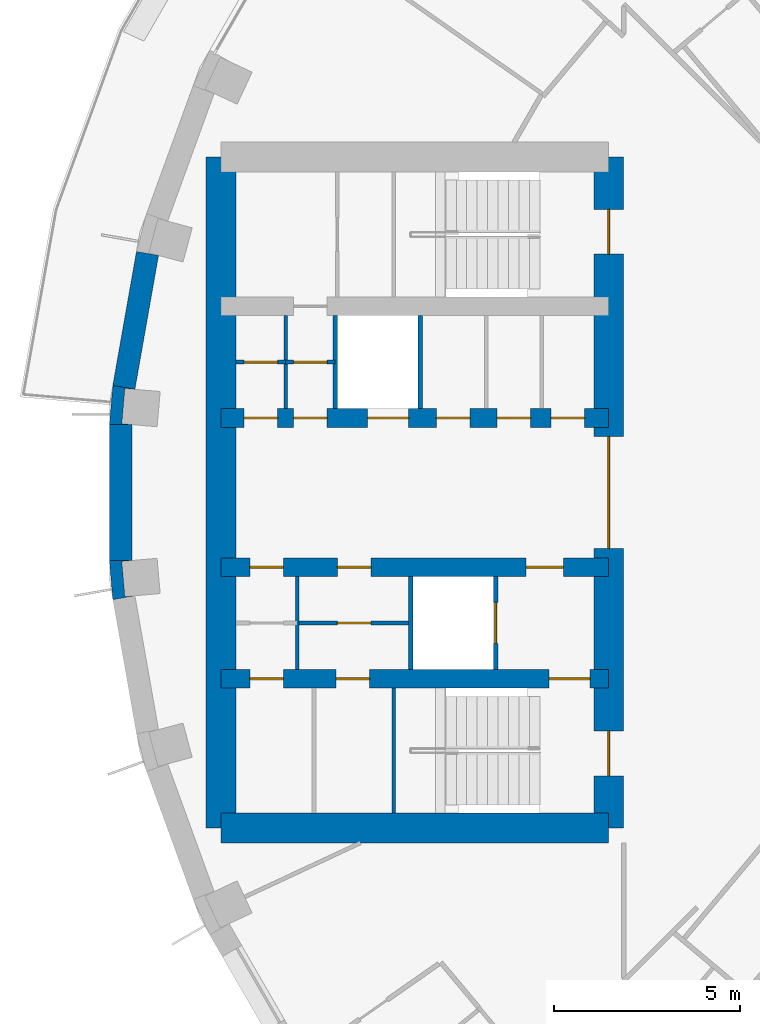
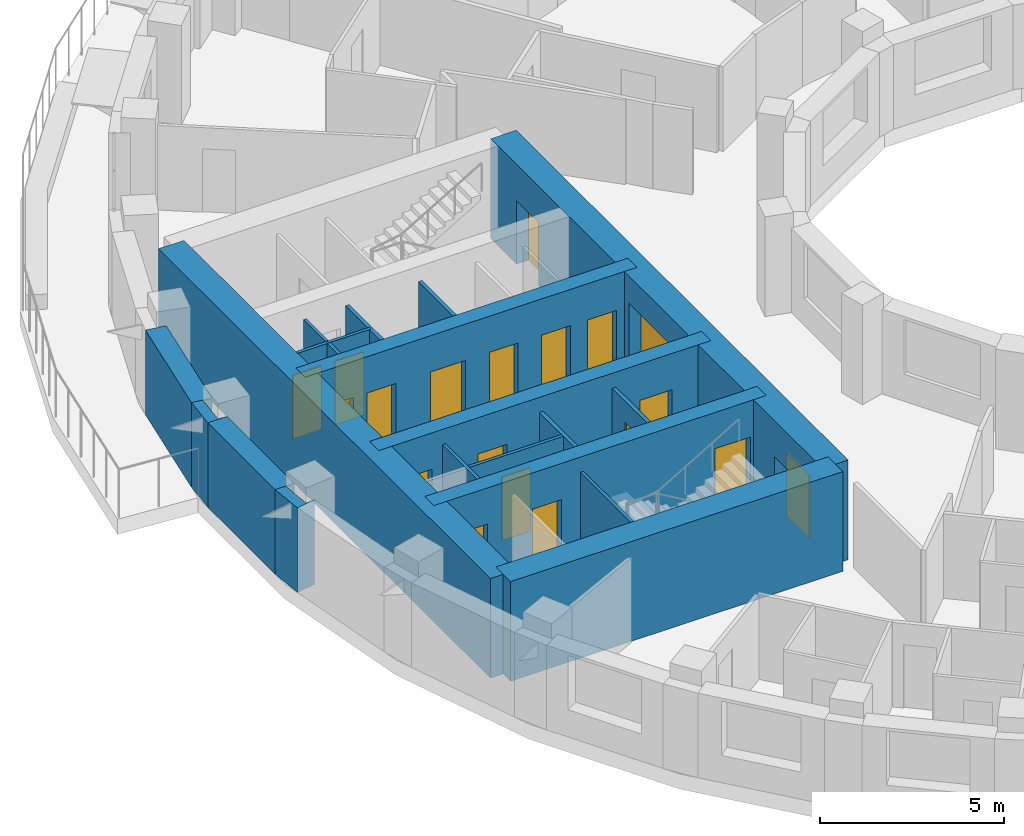
# One storey, part 6 of 15: 20 walls, 19 doors, 19 openings.
"""IFC4 building model written with IfcOpenShell, lengths in metres."""

from ifc_helpers import new_model, si_unit, direction, frame, frame_2d, origin, place, context, subcontext, project, spatial, polyline, rectangle, outline, extrude, material, layer, layer_set, type_object, element, fill, save


model = new_model("IFC4")

# Units and contexts
model_context = context("Model", 3, precision=1e-05, world=origin(), true_north=direction((0.0, 1.0)))
body_context = subcontext(model_context, "Body", "Model", "MODEL_VIEW")
ifc_project = project(units=[si_unit("LENGTHUNIT", "METRE"), si_unit("AREAUNIT", "SQUARE_METRE"), si_unit("VOLUMEUNIT", "CUBIC_METRE"), si_unit("PLANEANGLEUNIT", "RADIAN"), si_unit("MASSUNIT", "GRAM", prefix="KILO")], contexts=[model_context])

# Site, building, storey
site_placement = place(None, origin())
site = spatial("IfcSite", under=ifc_project, at=site_placement, CompositionType="ELEMENT")
building_placement = place(site_placement, origin())
building = spatial("IfcBuilding", under=site, at=building_placement, Name="Saqina Gate Tower", CompositionType="ELEMENT")
storey_placement = place(building_placement, frame((0.0, 0.0, 108.39990234375)))
storey = spatial("IfcBuildingStorey", under=building, at=storey_placement, Name="L30", CompositionType="ELEMENT", Elevation=108.39990234375)

# Walls
ifc_material_1 = material(Name="Brick masonry (buff)", Category="masonry")
wall_type_1 = type_object("IfcWallType", Name="BRICK PIER COPING BUFF", PredefinedType="SOLIDWALL", material=ifc_material_1)
wall_1_placement = place(storey_placement, origin())
element("IfcWall", 1, at=wall_1_placement, inside=storey, type_object=wall_type_1, Name="Pier cap L30 column 18", PredefinedType="SOLIDWALL", context=body_context, shape_type="SweptSolid", body=[
    extrude(outline(polyline([(-26.805419921875, 2.87451171875), (-26.897216796875, 1.823974609375), (-26.29736328125, 1.823974609375), (-26.565185546875, 1.847412109375), (-26.482421875, 2.793701171875), (-26.214599609375, 2.770263671875), (-26.805419921875, 2.87451171875)])), origin(), (0.0, 0.0, 1.0), 2.800048828125),
])
wall_2_placement = place(storey_placement, origin())
element("IfcWall", 2, at=wall_2_placement, inside=storey, type_object=wall_type_1, Name="Pier cap L30 column 19", PredefinedType="SOLIDWALL", context=body_context, shape_type="SweptSolid", body=[
    extrude(outline(polyline([(-26.805419921875, -2.87451171875), (-26.214599609375, -2.770263671875), (-26.482421875, -2.793701171875), (-26.565185546875, -1.847412109375), (-26.29736328125, -1.823974609375), (-26.897216796875, -1.823974609375), (-26.805419921875, -2.87451171875)])), origin(), (0.0, 0.0, 1.0), 2.800048828125),
])
ifc_material_2 = material(Name="Gypsum board on steel studs", Category="steel")
ifc_layer_1 = layer(ifc_material_2, 0.10009765625)
ifc_layer_set_1 = layer_set([ifc_layer_1], Name="CORE PARTITION")
wall_type_2 = type_object("IfcWallType", Name="CORE PARTITION", PredefinedType="PARTITIONING", material=ifc_layer_set_1)
for number, where, z_axis, x_axis, name in (
    (3, (-22.169921875, 2.25, 0.0), (0.0, 0.0, 1.0), (0.0, 1.0, 0.0), "L30-CP-W05"),
    (4, (-21.8583984375, -4.75, 0.0), (0.0, 0.0, 1.0), (0.0, 1.0, 0.0), "L30-CP-W08"),
):
    element("IfcWall", number, at=place(storey_placement, frame(where, z_axis=z_axis, x_axis=x_axis)), inside=storey, type_object=wall_type_2, Name=name, PredefinedType="PARTITIONING", context=body_context, shape_type="SweptSolid", body=[
        extrude(rectangle(XDim=2.5, YDim=0.10009765625, at=frame_2d((1.25, 0.0))), origin(), (0.0, 0.0, 1.0), 2.800048828125),
    ])

# Wall, opening, door
wall_3_placement = place(storey_placement, frame((-20.840087890625, 3.5, 0.0), z_axis=(0.0, 0.0, 1.0), x_axis=(-1.0, 0.0, 0.0)))
wall_3 = element("IfcWall", 5, at=wall_3_placement, inside=storey, type_object=wall_type_2, Name="L30-CP-W09", PredefinedType="PARTITIONING", context=body_context, shape_type="SweptSolid", body=[
    extrude(rectangle(XDim=1.329833984375, YDim=0.10009765625, at=frame_2d((0.6650390625, 0.0))), origin(), (0.0, 0.0, 1.0), 2.800048828125),
])
opening_1_placement = place(wall_3_placement, frame((0.215087890625, 0.0, 0.0)))
opening_1 = element("IfcOpeningElement", 6, at=opening_1_placement, cuts=wall_3, Name="Opening G08-D119", PredefinedType="OPENING", context=body_context, shape_type="SweptSolid", body=[
    extrude(rectangle(XDim=0.89990234375, YDim=2.10009765625, at=frame_2d((0.449951171875, 1.050048828125))), frame((0.0, 0.06201171875, 0.0), z_axis=(0.0, -1.0, 0.0), x_axis=(1.0, 0.0, 0.0)), (0.0, 0.0, 1.0), 0.1240234375),
])
ifc_material_3 = material(Name="Steel-framed fire door leaf, EI 60", Category="steel")
door_type_1 = type_object("IfcDoorType", Name="SERVICE ROOM DOOR 900", OperationType="SINGLE_SWING_LEFT", PredefinedType="DOOR", material=ifc_material_3)
door_1_placement = place(opening_1_placement, frame((0.89990234375, 0.0, 0.0), z_axis=(0.0, 0.0, 1.0), x_axis=(-1.0, 0.0, 0.0)))
door_1 = element("IfcDoor", 7, at=door_1_placement, inside=storey, type_object=door_type_1, Name="L30-CD-W30", OperationType="SINGLE_SWING_RIGHT", OverallHeight=2.10009765625, OverallWidth=0.89990234375, PredefinedType="DOOR", context=body_context, shape_type="SweptSolid", body=[
    extrude(rectangle(XDim=0.89990234375, YDim=2.10009765625, at=frame_2d((0.449951171875, 1.050048828125))), frame((0.0, 0.02490234375, 0.0), z_axis=(0.0, -1.0, 0.0), x_axis=(1.0, 0.0, 0.0)), (0.0, 0.0, 1.0), 0.050048828125),
])
fill(opening_1, door_1)

wall_4_placement = place(storey_placement, frame((-22.169921875, 3.5, 0.0), z_axis=(0.0, 0.0, 1.0), x_axis=(-1.0, 0.0, 0.0)))
wall_4 = element("IfcWall", 8, at=wall_4_placement, inside=storey, type_object=wall_type_2, Name="L30-CP-W10", PredefinedType="PARTITIONING", context=body_context, shape_type="SweptSolid", body=[
    extrude(rectangle(XDim=1.330078125, YDim=0.10009765625, at=frame_2d((0.6650390625, 0.0))), origin(), (0.0, 0.0, 1.0), 2.800048828125),
])
opening_2_placement = place(wall_4_placement, frame((0.215087890625, 0.0, 0.0)))
opening_2 = element("IfcOpeningElement", 9, at=opening_2_placement, cuts=wall_4, Name="Opening G08-D118", PredefinedType="OPENING", context=body_context, shape_type="SweptSolid", body=[
    extrude(rectangle(XDim=0.89990234375, YDim=2.10009765625, at=frame_2d((0.449951171875, 1.050048828125))), frame((0.0, 0.06201171875, 0.0), z_axis=(0.0, -1.0, 0.0), x_axis=(1.0, 0.0, 0.0)), (0.0, 0.0, 1.0), 0.1240234375),
])
door_2_placement = place(opening_2_placement, frame((0.89990234375, 0.0, 0.0), z_axis=(0.0, 0.0, 1.0), x_axis=(-1.0, 0.0, 0.0)))
door_2 = element("IfcDoor", 10, at=door_2_placement, inside=storey, type_object=door_type_1, Name="L30-CD-W29", OperationType="SINGLE_SWING_LEFT", OverallHeight=2.10009765625, OverallWidth=0.89990234375, PredefinedType="DOOR", context=body_context, shape_type="SweptSolid", body=[
    extrude(rectangle(XDim=0.89990234375, YDim=2.10009765625, at=frame_2d((0.449951171875, 1.050048828125))), frame((0.0, 0.02490234375, 0.0), z_axis=(0.0, -1.0, 0.0), x_axis=(1.0, 0.0, 0.0)), (0.0, 0.0, 1.0), 0.050048828125),
])
fill(opening_2, door_2)

wall_5_placement = place(storey_placement, frame((-18.81005859375, -3.5, 0.0), z_axis=(0.0, 0.0, 1.0), x_axis=(-1.0, 0.0, 0.0)))
wall_5 = element("IfcWall", 11, at=wall_5_placement, inside=storey, type_object=wall_type_2, Name="L30-CP-W11", PredefinedType="PARTITIONING", context=body_context, shape_type="SweptSolid", body=[
    extrude(rectangle(XDim=3.04833984375, YDim=0.10009765625, at=frame_2d((1.524169921875, 0.0))), origin(), (0.0, 0.0, 1.0), 2.800048828125),
])
opening_3_placement = place(wall_5_placement, frame((1.07421875, 0.0, 0.0)))
opening_3 = element("IfcOpeningElement", 12, at=opening_3_placement, cuts=wall_5, Name="Opening G08-D123", PredefinedType="OPENING", context=body_context, shape_type="SweptSolid", body=[
    extrude(rectangle(XDim=0.89990234375, YDim=2.10009765625, at=frame_2d((0.449951171875, 1.050048828125))), frame((0.0, 0.06201171875, 0.0), z_axis=(0.0, -1.0, 0.0), x_axis=(1.0, 0.0, 0.0)), (0.0, 0.0, 1.0), 0.1240234375),
])
door_3_placement = place(opening_3_placement, origin())
door_3 = element("IfcDoor", 13, at=door_3_placement, inside=storey, type_object=door_type_1, Name="L30-CD-W34", OperationType="SINGLE_SWING_LEFT", OverallHeight=2.10009765625, OverallWidth=0.89990234375, PredefinedType="DOOR", context=body_context, shape_type="SweptSolid", body=[
    extrude(rectangle(XDim=0.89990234375, YDim=2.10009765625, at=frame_2d((0.449951171875, 1.050048828125))), frame((0.0, 0.02490234375, 0.0), z_axis=(0.0, -1.0, 0.0), x_axis=(1.0, 0.0, 0.0)), (0.0, 0.0, 1.0), 0.050048828125),
])
fill(opening_3, door_3)

# Walls
ifc_material_4 = material(Name="Glazed ceramic tile", Category="ceramic")
ifc_layer_2 = layer(ifc_material_4, 0.60009765625)
ifc_layer_set_2 = layer_set([ifc_layer_2], Name="FW-TILE")
wall_type_3 = type_object("IfcWallType", Name="FW-TILE", PredefinedType="SOLIDWALL", material=ifc_layer_set_2)
wall_6_placement = place(storey_placement, frame((-25.87646484375, 6.414794921875, 0.0), z_axis=(0.0, 0.0, 1.0), x_axis=(-0.173670796382, -0.984803764455, 0.0)))
element("IfcWall", 14, at=wall_6_placement, inside=storey, type_object=wall_type_3, Name="Facade wall L30 facet 17", PredefinedType="SOLIDWALL", context=body_context, shape_type="SweptSolid", body=[
    extrude(rectangle(XDim=3.64794921875, YDim=0.60009765625, at=frame_2d((1.823974609375, 0.0))), origin(), (0.0, 0.0, 1.0), 2.800048828125),
])
ifc_material_5 = material(Name="Glazed ceramic tile (white)", Category="ceramic")
ifc_layer_3 = layer(ifc_material_5, 0.60009765625)
ifc_layer_set_3 = layer_set([ifc_layer_3], Name="FW-TILE-WH")
wall_type_4 = type_object("IfcWallType", Name="FW-TILE-WH", PredefinedType="SOLIDWALL", material=ifc_layer_set_3)
wall_7_placement = place(storey_placement, frame((-26.59716796875, 1.823974609375, 0.0), z_axis=(0.0, 0.0, 1.0), x_axis=(0.0, -1.0, 0.0)))
element("IfcWall", 15, at=wall_7_placement, inside=storey, type_object=wall_type_4, Name="Facade wall L30 facet 18", PredefinedType="SOLIDWALL", context=body_context, shape_type="SweptSolid", body=[
    extrude(rectangle(XDim=3.64794921875, YDim=0.60009765625, at=frame_2d((1.823974609375, 0.0))), origin(), (0.0, 0.0, 1.0), 2.800048828125),
])
ifc_material_6 = material(Name="Autoclaved aerated concrete block", Category="concrete")
ifc_layer_4 = layer(ifc_material_6, 0.1201171875)
ifc_layer_set_4 = layer_set([ifc_layer_4], Name="SHAFT PARTITION")
wall_type_5 = type_object("IfcWallType", Name="SHAFT PARTITION", PredefinedType="PARTITIONING", material=ifc_layer_set_4)
for number, where, z_axis, x_axis, name in (
    (16, (-18.56005859375, 2.25, 0.0), (0.0, 0.0, 1.0), (0.0, 1.0, 0.0), "L30-CP-W03"),
    (17, (-20.840087890625, 2.25, 0.0), (0.0, 0.0, 1.0), (0.0, 1.0, 0.0), "L30-CP-W04"),
):
    element("IfcWall", number, at=place(storey_placement, frame(where, z_axis=z_axis, x_axis=x_axis)), inside=storey, type_object=wall_type_5, Name=name, PredefinedType="PARTITIONING", context=body_context, shape_type="SweptSolid", body=[
        extrude(rectangle(XDim=2.5, YDim=0.1201171875, at=frame_2d((1.25, 0.0))), origin(), (0.0, 0.0, 1.0), 2.800048828125),
    ])

# Wall, opening, door
wall_8_placement = place(storey_placement, frame((-16.530029296875, -4.75, 0.0), z_axis=(0.0, 0.0, 1.0), x_axis=(0.0, 1.0, 0.0)))
wall_8 = element("IfcWall", 18, at=wall_8_placement, inside=storey, type_object=wall_type_5, Name="L30-CP-W06", PredefinedType="PARTITIONING", context=body_context, shape_type="SweptSolid", body=[
    extrude(rectangle(XDim=2.5, YDim=0.1201171875, at=frame_2d((1.25, 0.0))), origin(), (0.0, 0.0, 1.0), 2.800048828125),
])
opening_4_placement = place(wall_8_placement, frame((0.699951171875, 0.0, 0.0)))
opening_4 = element("IfcOpeningElement", 19, at=opening_4_placement, cuts=wall_8, Name="Opening G08-LD4", PredefinedType="OPENING", context=body_context, shape_type="SweptSolid", body=[
    extrude(rectangle(XDim=1.10009765625, YDim=2.10009765625, at=frame_2d((0.550048828125, 1.050048828125))), frame((0.0, 0.072021484375, 0.0), z_axis=(0.0, -1.0, 0.0), x_axis=(1.0, 0.0, 0.0)), (0.0, 0.0, 1.0), 0.14404296875),
])
ifc_material_7 = material(Name="Stainless steel", Category="steel")
door_type_2 = type_object("IfcDoorType", Name="LANDING DOOR", OperationType="DOUBLE_DOOR_SLIDING", PredefinedType="DOOR", material=ifc_material_7)
door_4_placement = place(opening_4_placement, origin())
door_4 = element("IfcDoor", 20, at=door_4_placement, inside=storey, type_object=door_type_2, Name="LANDING DOOR FF2", OperationType="DOUBLE_DOOR_SLIDING", OverallHeight=2.10009765625, OverallWidth=1.10009765625, PredefinedType="DOOR", context=body_context, shape_type="SweptSolid", body=[
    extrude(rectangle(XDim=1.10009765625, YDim=2.10009765625, at=frame_2d((0.550048828125, 1.050048828125))), frame((0.0, 0.02490234375, 0.0), z_axis=(0.0, -1.0, 0.0), x_axis=(1.0, 0.0, 0.0)), (0.0, 0.0, 1.0), 0.050048828125),
])
fill(opening_4, door_4)

# Walls
wall_9_placement = place(storey_placement, frame((-18.81005859375, -4.75, 0.0), z_axis=(0.0, 0.0, 1.0), x_axis=(0.0, 1.0, 0.0)))
element("IfcWall", 21, at=wall_9_placement, inside=storey, type_object=wall_type_5, Name="L30-CP-W07", PredefinedType="PARTITIONING", context=body_context, shape_type="SweptSolid", body=[
    extrude(rectangle(XDim=2.5, YDim=0.1201171875, at=frame_2d((1.25, 0.0))), origin(), (0.0, 0.0, 1.0), 2.800048828125),
])
ifc_material_8 = material(Name="Autoclaved aerated concrete block", Category="concrete")
ifc_layer_5 = layer(ifc_material_8, 0.10009765625)
ifc_layer_set_5 = layer_set([ifc_layer_5], Name="STAIR ENCLOSURE WALL")
wall_type_6 = type_object("IfcWallType", Name="STAIR ENCLOSURE WALL", PredefinedType="PARTITIONING", material=ifc_layer_set_5)
wall_10_placement = place(storey_placement, frame((-19.27001953125, -8.60009765625, 0.0), z_axis=(0.0, 0.0, 1.0), x_axis=(0.0, 1.0, 0.0)))
element("IfcWall", 22, at=wall_10_placement, inside=storey, type_object=wall_type_6, Name="L30-CP-W15", PredefinedType="PARTITIONING", context=body_context, shape_type="SweptSolid", body=[
    extrude(rectangle(XDim=3.35009765625, YDim=0.10009765625, at=frame_2d((1.675048828125, 0.0))), origin(), (0.0, 0.0, 1.0), 2.800048828125),
])

# Wall, openings, doors
ifc_material_9 = material(Name="Concrete C70/85", Category="concrete")
ifc_layer_6 = layer(ifc_material_9, 0.5)
ifc_layer_set_6 = layer_set([ifc_layer_6], Name="Concrete C70/85")
wall_type_7 = type_object("IfcWallType", Name="STR-CORE WALL-B-I", PredefinedType="SHEAR", material=ifc_layer_set_6)
wall_11_placement = place(storey_placement, frame((-13.5, -5.0, 0.0), z_axis=(0.0, 0.0, 1.0), x_axis=(-1.0, 0.0, 0.0)))
wall_11 = element("IfcWall", 23, at=wall_11_placement, inside=storey, type_object=wall_type_7, Name="CORE WALL L30 W-X2", PredefinedType="SHEAR", context=body_context, shape_type="SweptSolid", body=[
    extrude(rectangle(XDim=10.39990234375, YDim=0.5, at=frame_2d((5.199951171875, 0.0))), origin(), (0.0, 0.0, 1.0), 3.300048828125),
])
opening_5_placement = place(wall_11_placement, frame((6.4150390625, 0.0, 0.0)))
opening_5 = element("IfcOpeningElement", 24, at=opening_5_placement, cuts=wall_11, Name="Opening G08-D124", PredefinedType="OPENING", context=body_context, shape_type="SweptSolid", body=[
    extrude(rectangle(XDim=0.89990234375, YDim=2.10009765625, at=frame_2d((0.449951171875, 1.050048828125))), frame((0.0, 0.261962890625, 0.0), z_axis=(0.0, -1.0, 0.0), x_axis=(1.0, 0.0, 0.0)), (0.0, 0.0, 1.0), 0.52392578125),
])
opening_6_placement = place(wall_11_placement, frame((8.729248046875, 0.0, 0.0)))
opening_6 = element("IfcOpeningElement", 25, at=opening_6_placement, cuts=wall_11, Name="Opening G08-D125", PredefinedType="OPENING", context=body_context, shape_type="SweptSolid", body=[
    extrude(rectangle(XDim=0.89990234375, YDim=2.10009765625, at=frame_2d((0.449951171875, 1.050048828125))), frame((0.0, 0.261962890625, 0.0), z_axis=(0.0, -1.0, 0.0), x_axis=(1.0, 0.0, 0.0)), (0.0, 0.0, 1.0), 0.52392578125),
])
opening_7_placement = place(wall_11_placement, frame((0.5, 0.0, 0.0)))
opening_7 = element("IfcOpeningElement", 26, at=opening_7_placement, cuts=wall_11, Name="Opening G08-D126", PredefinedType="OPENING", context=body_context, shape_type="SweptSolid", body=[
    extrude(rectangle(XDim=1.10009765625, YDim=2.10009765625, at=frame_2d((0.550048828125, 1.050048828125))), frame((0.0, 0.261962890625, 0.0), z_axis=(0.0, -1.0, 0.0), x_axis=(1.0, 0.0, 0.0)), (0.0, 0.0, 1.0), 0.52392578125),
])
ifc_material_10 = material(Name="Steel", Category="steel")
door_type_3 = type_object("IfcDoorType", Name="FIRE LOBBY DOOR EI 60 WIDE", OperationType="SINGLE_SWING_LEFT", PredefinedType="DOOR", material=ifc_material_10)
door_5_placement = place(opening_7_placement, origin())
door_5 = element("IfcDoor", 27, at=door_5_placement, inside=storey, type_object=door_type_3, Name="L30-CD-W37", OperationType="SINGLE_SWING_LEFT", OverallHeight=2.10009765625, OverallWidth=1.10009765625, PredefinedType="DOOR", context=body_context, shape_type="SweptSolid", body=[
    extrude(rectangle(XDim=1.10009765625, YDim=2.10009765625, at=frame_2d((0.550048828125, 1.050048828125))), frame((0.0, 0.02490234375, 0.0), z_axis=(0.0, -1.0, 0.0), x_axis=(1.0, 0.0, 0.0)), (0.0, 0.0, 1.0), 0.050048828125),
])
fill(opening_7, door_5)
door_6_placement = place(opening_5_placement, origin())
door_6 = element("IfcDoor", 28, at=door_6_placement, inside=storey, type_object=door_type_1, Name="L30-CD-W35", OperationType="SINGLE_SWING_RIGHT", OverallHeight=2.10009765625, OverallWidth=0.89990234375, PredefinedType="DOOR", context=body_context, shape_type="SweptSolid", body=[
    extrude(rectangle(XDim=0.89990234375, YDim=2.10009765625, at=frame_2d((0.449951171875, 1.050048828125))), frame((0.0, 0.02490234375, 0.0), z_axis=(0.0, -1.0, 0.0), x_axis=(1.0, 0.0, 0.0)), (0.0, 0.0, 1.0), 0.050048828125),
])
fill(opening_5, door_6)
door_7_placement = place(opening_6_placement, origin())
door_7 = element("IfcDoor", 29, at=door_7_placement, inside=storey, type_object=door_type_1, Name="L30-CD-W36", OperationType="SINGLE_SWING_RIGHT", OverallHeight=2.10009765625, OverallWidth=0.89990234375, PredefinedType="DOOR", context=body_context, shape_type="SweptSolid", body=[
    extrude(rectangle(XDim=0.89990234375, YDim=2.10009765625, at=frame_2d((0.449951171875, 1.050048828125))), frame((0.0, 0.02490234375, 0.0), z_axis=(0.0, -1.0, 0.0), x_axis=(1.0, 0.0, 0.0)), (0.0, 0.0, 1.0), 0.050048828125),
])
fill(opening_6, door_7)

wall_12_placement = place(storey_placement, frame((-13.5, 2.0, 0.0), z_axis=(0.0, 0.0, 1.0), x_axis=(-1.0, 0.0, 0.0)))
wall_12 = element("IfcWall", 30, at=wall_12_placement, inside=storey, type_object=wall_type_7, Name="CORE WALL L30 W-L1", PredefinedType="SHEAR", context=body_context, shape_type="SweptSolid", body=[
    extrude(rectangle(XDim=10.39990234375, YDim=0.5, at=frame_2d((5.199951171875, 0.0))), origin(), (0.0, 0.0, 1.0), 3.300048828125),
])
opening_8_placement = place(wall_12_placement, frame((5.3701171875, 0.0, 0.0)))
opening_8 = element("IfcOpeningElement", 31, at=opening_8_placement, cuts=wall_12, Name="Opening G08-LD3", PredefinedType="OPENING", context=body_context, shape_type="SweptSolid", body=[
    extrude(rectangle(XDim=1.10009765625, YDim=2.10009765625, at=frame_2d((0.550048828125, 1.050048828125))), frame((0.0, 0.261962890625, 0.0), z_axis=(0.0, -1.0, 0.0), x_axis=(1.0, 0.0, 0.0)), (0.0, 0.0, 1.0), 0.52392578125),
])
opening_9_placement = place(wall_12_placement, frame((0.64892578125, 0.0, 0.0)))
opening_9 = element("IfcOpeningElement", 32, at=opening_9_placement, cuts=wall_12, Name="Opening G08-D110", PredefinedType="OPENING", context=body_context, shape_type="SweptSolid", body=[
    extrude(rectangle(XDim=0.89990234375, YDim=2.10009765625, at=frame_2d((0.449951171875, 1.050048828125))), frame((0.0, 0.261962890625, 0.0), z_axis=(0.0, -1.0, 0.0), x_axis=(1.0, 0.0, 0.0)), (0.0, 0.0, 1.0), 0.52392578125),
])
opening_10_placement = place(wall_12_placement, frame((2.093505859375, 0.0, 0.0)))
opening_10 = element("IfcOpeningElement", 33, at=opening_10_placement, cuts=wall_12, Name="Opening G08-D111", PredefinedType="OPENING", context=body_context, shape_type="SweptSolid", body=[
    extrude(rectangle(XDim=0.89990234375, YDim=2.10009765625, at=frame_2d((0.449951171875, 1.050048828125))), frame((0.0, 0.261962890625, 0.0), z_axis=(0.0, -1.0, 0.0), x_axis=(1.0, 0.0, 0.0)), (0.0, 0.0, 1.0), 0.52392578125),
])
opening_11_placement = place(wall_12_placement, frame((3.724609375, 0.0, 0.0)))
opening_11 = element("IfcOpeningElement", 34, at=opening_11_placement, cuts=wall_12, Name="Opening G08-D112", PredefinedType="OPENING", context=body_context, shape_type="SweptSolid", body=[
    extrude(rectangle(XDim=0.89990234375, YDim=2.10009765625, at=frame_2d((0.449951171875, 1.050048828125))), frame((0.0, 0.261962890625, 0.0), z_axis=(0.0, -1.0, 0.0), x_axis=(1.0, 0.0, 0.0)), (0.0, 0.0, 1.0), 0.52392578125),
])
opening_12_placement = place(wall_12_placement, frame((7.554931640625, 0.0, 0.0)))
opening_12 = element("IfcOpeningElement", 35, at=opening_12_placement, cuts=wall_12, Name="Opening G08-D113", PredefinedType="OPENING", context=body_context, shape_type="SweptSolid", body=[
    extrude(rectangle(XDim=0.89990234375, YDim=2.10009765625, at=frame_2d((0.449951171875, 1.050048828125))), frame((0.0, 0.261962890625, 0.0), z_axis=(0.0, -1.0, 0.0), x_axis=(1.0, 0.0, 0.0)), (0.0, 0.0, 1.0), 0.52392578125),
])
opening_13_placement = place(wall_12_placement, frame((8.885009765625, 0.0, 0.0)))
opening_13 = element("IfcOpeningElement", 36, at=opening_13_placement, cuts=wall_12, Name="Opening G08-D114", PredefinedType="OPENING", context=body_context, shape_type="SweptSolid", body=[
    extrude(rectangle(XDim=0.89990234375, YDim=2.10009765625, at=frame_2d((0.449951171875, 1.050048828125))), frame((0.0, 0.261962890625, 0.0), z_axis=(0.0, -1.0, 0.0), x_axis=(1.0, 0.0, 0.0)), (0.0, 0.0, 1.0), 0.52392578125),
])
door_8_placement = place(opening_8_placement, origin())
door_8 = element("IfcDoor", 37, at=door_8_placement, inside=storey, type_object=door_type_2, Name="LANDING DOOR MR2", OperationType="DOUBLE_DOOR_SLIDING", OverallHeight=2.10009765625, OverallWidth=1.10009765625, PredefinedType="DOOR", context=body_context, shape_type="SweptSolid", body=[
    extrude(rectangle(XDim=1.10009765625, YDim=2.10009765625, at=frame_2d((0.550048828125, 1.050048828125))), frame((0.0, 0.02490234375, 0.0), z_axis=(0.0, -1.0, 0.0), x_axis=(1.0, 0.0, 0.0)), (0.0, 0.0, 1.0), 0.050048828125),
])
fill(opening_8, door_8)
door_9_placement = place(opening_9_placement, frame((0.89990234375, 0.0, 0.0), z_axis=(0.0, 0.0, 1.0), x_axis=(-1.0, 0.0, 0.0)))
door_9 = element("IfcDoor", 38, at=door_9_placement, inside=storey, type_object=door_type_1, Name="L30-CD-W21", OperationType="SINGLE_SWING_RIGHT", OverallHeight=2.10009765625, OverallWidth=0.89990234375, PredefinedType="DOOR", context=body_context, shape_type="SweptSolid", body=[
    extrude(rectangle(XDim=0.89990234375, YDim=2.10009765625, at=frame_2d((0.449951171875, 1.050048828125))), frame((0.0, 0.02490234375, 0.0), z_axis=(0.0, -1.0, 0.0), x_axis=(1.0, 0.0, 0.0)), (0.0, 0.0, 1.0), 0.050048828125),
])
fill(opening_9, door_9)
door_10_placement = place(opening_10_placement, frame((0.89990234375, 0.0, 0.0), z_axis=(0.0, 0.0, 1.0), x_axis=(-1.0, 0.0, 0.0)))
door_10 = element("IfcDoor", 39, at=door_10_placement, inside=storey, type_object=door_type_1, Name="L30-CD-W22", OperationType="SINGLE_SWING_RIGHT", OverallHeight=2.10009765625, OverallWidth=0.89990234375, PredefinedType="DOOR", context=body_context, shape_type="SweptSolid", body=[
    extrude(rectangle(XDim=0.89990234375, YDim=2.10009765625, at=frame_2d((0.449951171875, 1.050048828125))), frame((0.0, 0.02490234375, 0.0), z_axis=(0.0, -1.0, 0.0), x_axis=(1.0, 0.0, 0.0)), (0.0, 0.0, 1.0), 0.050048828125),
])
fill(opening_10, door_10)
door_11_placement = place(opening_11_placement, frame((0.89990234375, 0.0, 0.0), z_axis=(0.0, 0.0, 1.0), x_axis=(-1.0, 0.0, 0.0)))
door_11 = element("IfcDoor", 40, at=door_11_placement, inside=storey, type_object=door_type_1, Name="L30-CD-W23", OperationType="SINGLE_SWING_LEFT", OverallHeight=2.10009765625, OverallWidth=0.89990234375, PredefinedType="DOOR", context=body_context, shape_type="SweptSolid", body=[
    extrude(rectangle(XDim=0.89990234375, YDim=2.10009765625, at=frame_2d((0.449951171875, 1.050048828125))), frame((0.0, 0.02490234375, 0.0), z_axis=(0.0, -1.0, 0.0), x_axis=(1.0, 0.0, 0.0)), (0.0, 0.0, 1.0), 0.050048828125),
])
fill(opening_11, door_11)
door_12_placement = place(opening_12_placement, frame((0.89990234375, 0.0, 0.0), z_axis=(0.0, 0.0, 1.0), x_axis=(-1.0, 0.0, 0.0)))
door_12 = element("IfcDoor", 41, at=door_12_placement, inside=storey, type_object=door_type_1, Name="L30-CD-W24", OperationType="SINGLE_SWING_RIGHT", OverallHeight=2.10009765625, OverallWidth=0.89990234375, PredefinedType="DOOR", context=body_context, shape_type="SweptSolid", body=[
    extrude(rectangle(XDim=0.89990234375, YDim=2.10009765625, at=frame_2d((0.449951171875, 1.050048828125))), frame((0.0, 0.02490234375, 0.0), z_axis=(0.0, -1.0, 0.0), x_axis=(1.0, 0.0, 0.0)), (0.0, 0.0, 1.0), 0.050048828125),
])
fill(opening_12, door_12)
door_13_placement = place(opening_13_placement, frame((0.89990234375, 0.0, 0.0), z_axis=(0.0, 0.0, 1.0), x_axis=(-1.0, 0.0, 0.0)))
door_13 = element("IfcDoor", 42, at=door_13_placement, inside=storey, type_object=door_type_1, Name="L30-CD-W25", OperationType="SINGLE_SWING_LEFT", OverallHeight=2.10009765625, OverallWidth=0.89990234375, PredefinedType="DOOR", context=body_context, shape_type="SweptSolid", body=[
    extrude(rectangle(XDim=0.89990234375, YDim=2.10009765625, at=frame_2d((0.449951171875, 1.050048828125))), frame((0.0, 0.02490234375, 0.0), z_axis=(0.0, -1.0, 0.0), x_axis=(1.0, 0.0, 0.0)), (0.0, 0.0, 1.0), 0.050048828125),
])
fill(opening_13, door_13)

wall_13_placement = place(storey_placement, frame((-13.5, -2.0, 0.0), z_axis=(0.0, 0.0, 1.0), x_axis=(-1.0, 0.0, 0.0)))
wall_13 = element("IfcWall", 43, at=wall_13_placement, inside=storey, type_object=wall_type_7, Name="CORE WALL L30 W-L2", PredefinedType="SHEAR", context=body_context, shape_type="SweptSolid", body=[
    extrude(rectangle(XDim=10.39990234375, YDim=0.5, at=frame_2d((5.199951171875, 0.0))), origin(), (0.0, 0.0, 1.0), 3.300048828125),
])
opening_14_placement = place(wall_13_placement, frame((1.215087890625, 0.0, 0.0)))
opening_14 = element("IfcOpeningElement", 44, at=opening_14_placement, cuts=wall_13, Name="Opening G08-D115", PredefinedType="OPENING", context=body_context, shape_type="SweptSolid", body=[
    extrude(rectangle(XDim=1.0, YDim=2.10009765625, at=frame_2d((0.5, 1.050048828125))), frame((0.0, 0.261962890625, 0.0), z_axis=(0.0, -1.0, 0.0), x_axis=(1.0, 0.0, 0.0)), (0.0, 0.0, 1.0), 0.52392578125),
])
opening_15_placement = place(wall_13_placement, frame((6.38427734375, 0.0, 0.0)))
opening_15 = element("IfcOpeningElement", 45, at=opening_15_placement, cuts=wall_13, Name="Opening G08-D116", PredefinedType="OPENING", context=body_context, shape_type="SweptSolid", body=[
    extrude(rectangle(XDim=0.89990234375, YDim=2.10009765625, at=frame_2d((0.449951171875, 1.050048828125))), frame((0.0, 0.261962890625, 0.0), z_axis=(0.0, -1.0, 0.0), x_axis=(1.0, 0.0, 0.0)), (0.0, 0.0, 1.0), 0.52392578125),
])
opening_16_placement = place(wall_13_placement, frame((8.729248046875, 0.0, 0.0)))
opening_16 = element("IfcOpeningElement", 46, at=opening_16_placement, cuts=wall_13, Name="Opening G08-D117", PredefinedType="OPENING", context=body_context, shape_type="SweptSolid", body=[
    extrude(rectangle(XDim=0.89990234375, YDim=2.10009765625, at=frame_2d((0.449951171875, 1.050048828125))), frame((0.0, 0.261962890625, 0.0), z_axis=(0.0, -1.0, 0.0), x_axis=(1.0, 0.0, 0.0)), (0.0, 0.0, 1.0), 0.52392578125),
])
ifc_material_11 = material(Name="Steel", Category="steel")
door_type_4 = type_object("IfcDoorType", Name="FIRE LOBBY DOOR EI 60", OperationType="SINGLE_SWING_LEFT", PredefinedType="DOOR", material=ifc_material_11)
door_14_placement = place(opening_14_placement, frame((1.0, 0.0, 0.0), z_axis=(0.0, 0.0, 1.0), x_axis=(-1.0, 0.0, 0.0)))
door_14 = element("IfcDoor", 47, at=door_14_placement, inside=storey, type_object=door_type_4, Name="L30-CD-W26", OperationType="SINGLE_SWING_RIGHT", OverallHeight=2.10009765625, OverallWidth=1.0, PredefinedType="DOOR", context=body_context, shape_type="SweptSolid", body=[
    extrude(rectangle(XDim=1.0, YDim=2.10009765625, at=frame_2d((0.5, 1.050048828125))), frame((0.0, 0.02490234375, 0.0), z_axis=(0.0, -1.0, 0.0), x_axis=(1.0, 0.0, 0.0)), (0.0, 0.0, 1.0), 0.050048828125),
])
fill(opening_14, door_14)
door_15_placement = place(opening_15_placement, origin())
door_15 = element("IfcDoor", 48, at=door_15_placement, inside=storey, type_object=door_type_1, Name="L30-CD-W27", OperationType="SINGLE_SWING_RIGHT", OverallHeight=2.10009765625, OverallWidth=0.89990234375, PredefinedType="DOOR", context=body_context, shape_type="SweptSolid", body=[
    extrude(rectangle(XDim=0.89990234375, YDim=2.10009765625, at=frame_2d((0.449951171875, 1.050048828125))), frame((0.0, 0.02490234375, 0.0), z_axis=(0.0, -1.0, 0.0), x_axis=(1.0, 0.0, 0.0)), (0.0, 0.0, 1.0), 0.050048828125),
])
fill(opening_15, door_15)
door_16_placement = place(opening_16_placement, origin())
door_16 = element("IfcDoor", 49, at=door_16_placement, inside=storey, type_object=door_type_1, Name="L30-CD-W28", OperationType="SINGLE_SWING_RIGHT", OverallHeight=2.10009765625, OverallWidth=0.89990234375, PredefinedType="DOOR", context=body_context, shape_type="SweptSolid", body=[
    extrude(rectangle(XDim=0.89990234375, YDim=2.10009765625, at=frame_2d((0.449951171875, 1.050048828125))), frame((0.0, 0.02490234375, 0.0), z_axis=(0.0, -1.0, 0.0), x_axis=(1.0, 0.0, 0.0)), (0.0, 0.0, 1.0), 0.050048828125),
])
fill(opening_16, door_16)

ifc_material_12 = material(Name="Concrete C70/85", Category="concrete")
ifc_layer_7 = layer(ifc_material_12, 0.800048828125)
ifc_layer_set_7 = layer_set([ifc_layer_7], Name="Concrete C70/85")
wall_type_8 = type_object("IfcWallType", Name="STR-CORE WALL-B-O", PredefinedType="SHEAR", material=ifc_layer_set_7)
wall_14_placement = place(storey_placement, frame((-13.5, -9.0, 0.0), z_axis=(0.0, 0.0, 1.0), x_axis=(0.0, 1.0, 0.0)))
wall_14 = element("IfcWall", 50, at=wall_14_placement, inside=storey, type_object=wall_type_8, Name="CORE WALL L30 W-W1", PredefinedType="SHEAR", context=body_context, shape_type="SweptSolid", body=[
    extrude(rectangle(XDim=18.0, YDim=0.800048828125, at=frame_2d((9.0, 0.0))), origin(), (0.0, 0.0, 1.0), 3.300048828125),
])
opening_17_placement = place(wall_14_placement, frame((15.39990234375, 0.0, 0.0)))
opening_17 = element("IfcOpeningElement", 51, at=opening_17_placement, cuts=wall_14, Name="Opening G08-D127", PredefinedType="OPENING", context=body_context, shape_type="SweptSolid", body=[
    extrude(rectangle(XDim=1.199951171875, YDim=2.10009765625, at=frame_2d((0.60009765625, 1.050048828125))), frame((0.0, 0.412109375, 0.0), z_axis=(0.0, -1.0, 0.0), x_axis=(1.0, 0.0, 0.0)), (0.0, 0.0, 1.0), 0.823974609375),
])
opening_18_placement = place(wall_14_placement, frame((1.39990234375, 0.0, 0.0)))
opening_18 = element("IfcOpeningElement", 52, at=opening_18_placement, cuts=wall_14, Name="Opening G08-D128", PredefinedType="OPENING", context=body_context, shape_type="SweptSolid", body=[
    extrude(rectangle(XDim=1.199951171875, YDim=2.10009765625, at=frame_2d((0.60009765625, 1.050048828125))), frame((0.0, 0.412109375, 0.0), z_axis=(0.0, -1.0, 0.0), x_axis=(1.0, 0.0, 0.0)), (0.0, 0.0, 1.0), 0.823974609375),
])
opening_19_placement = place(wall_14_placement, frame((7.5, 0.0, 0.0)))
opening_19 = element("IfcOpeningElement", 53, at=opening_19_placement, cuts=wall_14, Name="Opening G08-D129", PredefinedType="OPENING", context=body_context, shape_type="SweptSolid", body=[
    extrude(rectangle(XDim=3.0, YDim=2.39990234375, at=frame_2d((1.5, 1.199951171875))), frame((0.0, 0.412109375, 0.0), z_axis=(0.0, -1.0, 0.0), x_axis=(1.0, 0.0, 0.0)), (0.0, 0.0, 1.0), 0.823974609375),
])
ifc_material_13 = material(Name="Steel", Category="steel")
door_type_5 = type_object("IfcDoorType", Name="FIRE DOOR EI 60", OperationType="SINGLE_SWING_LEFT", PredefinedType="DOOR", material=ifc_material_13)
door_17_placement = place(opening_17_placement, origin())
door_17 = element("IfcDoor", 54, at=door_17_placement, inside=storey, type_object=door_type_5, Name="L30-CD-W38", OperationType="SINGLE_SWING_RIGHT", OverallHeight=2.10009765625, OverallWidth=1.199951171875, PredefinedType="DOOR", context=body_context, shape_type="SweptSolid", body=[
    extrude(rectangle(XDim=1.199951171875, YDim=2.10009765625, at=frame_2d((0.60009765625, 1.050048828125))), frame((0.0, 0.02490234375, 0.0), z_axis=(0.0, -1.0, 0.0), x_axis=(1.0, 0.0, 0.0)), (0.0, 0.0, 1.0), 0.050048828125),
])
fill(opening_17, door_17)
door_18_placement = place(opening_18_placement, origin())
door_18 = element("IfcDoor", 55, at=door_18_placement, inside=storey, type_object=door_type_5, Name="L30-CD-W39", OperationType="SINGLE_SWING_LEFT", OverallHeight=2.10009765625, OverallWidth=1.199951171875, PredefinedType="DOOR", context=body_context, shape_type="SweptSolid", body=[
    extrude(rectangle(XDim=1.199951171875, YDim=2.10009765625, at=frame_2d((0.60009765625, 1.050048828125))), frame((0.0, 0.02490234375, 0.0), z_axis=(0.0, -1.0, 0.0), x_axis=(1.0, 0.0, 0.0)), (0.0, 0.0, 1.0), 0.050048828125),
])
fill(opening_18, door_18)
ifc_material_14 = material(Name="Steel and fire-resisting glass", Category="steel")
door_type_6 = type_object("IfcDoorType", Name="LOBBY SCREEN DOOR", OperationType="DOUBLE_DOOR_SLIDING", PredefinedType="DOOR", material=ifc_material_14)
door_19_placement = place(opening_19_placement, origin())
door_19 = element("IfcDoor", 56, at=door_19_placement, inside=storey, type_object=door_type_6, Name="L30-CD-W40", OperationType="DOUBLE_DOOR_SLIDING", OverallHeight=2.39990234375, OverallWidth=3.0, PredefinedType="DOOR", context=body_context, shape_type="SweptSolid", body=[
    extrude(rectangle(XDim=3.0, YDim=2.39990234375, at=frame_2d((1.5, 1.199951171875))), frame((0.0, 0.02490234375, 0.0), z_axis=(0.0, -1.0, 0.0), x_axis=(1.0, 0.0, 0.0)), (0.0, 0.0, 1.0), 0.050048828125),
])
fill(opening_19, door_19)

# Walls
wall_15_placement = place(storey_placement, frame((-23.89990234375, -9.0, 0.0), z_axis=(0.0, 0.0, 1.0), x_axis=(0.0, 1.0, 0.0)))
element("IfcWall", 57, at=wall_15_placement, inside=storey, type_object=wall_type_8, Name="CORE WALL L30 W-W2", PredefinedType="SHEAR", context=body_context, shape_type="SweptSolid", body=[
    extrude(rectangle(XDim=18.0, YDim=0.800048828125, at=frame_2d((9.0, 0.0))), origin(), (0.0, 0.0, 1.0), 3.300048828125),
])
wall_16_placement = place(storey_placement, frame((-13.5, -9.0, 0.0), z_axis=(0.0, 0.0, 1.0), x_axis=(-1.0, 0.0, 0.0)))
element("IfcWall", 58, at=wall_16_placement, inside=storey, type_object=wall_type_8, Name="CORE WALL L30 W-SE", PredefinedType="SHEAR", context=body_context, shape_type="SweptSolid", body=[
    extrude(rectangle(XDim=10.39990234375, YDim=0.800048828125, at=frame_2d((5.199951171875, 0.0))), origin(), (0.0, 0.0, 1.0), 3.300048828125),
])

save(model, "model.ifc")
